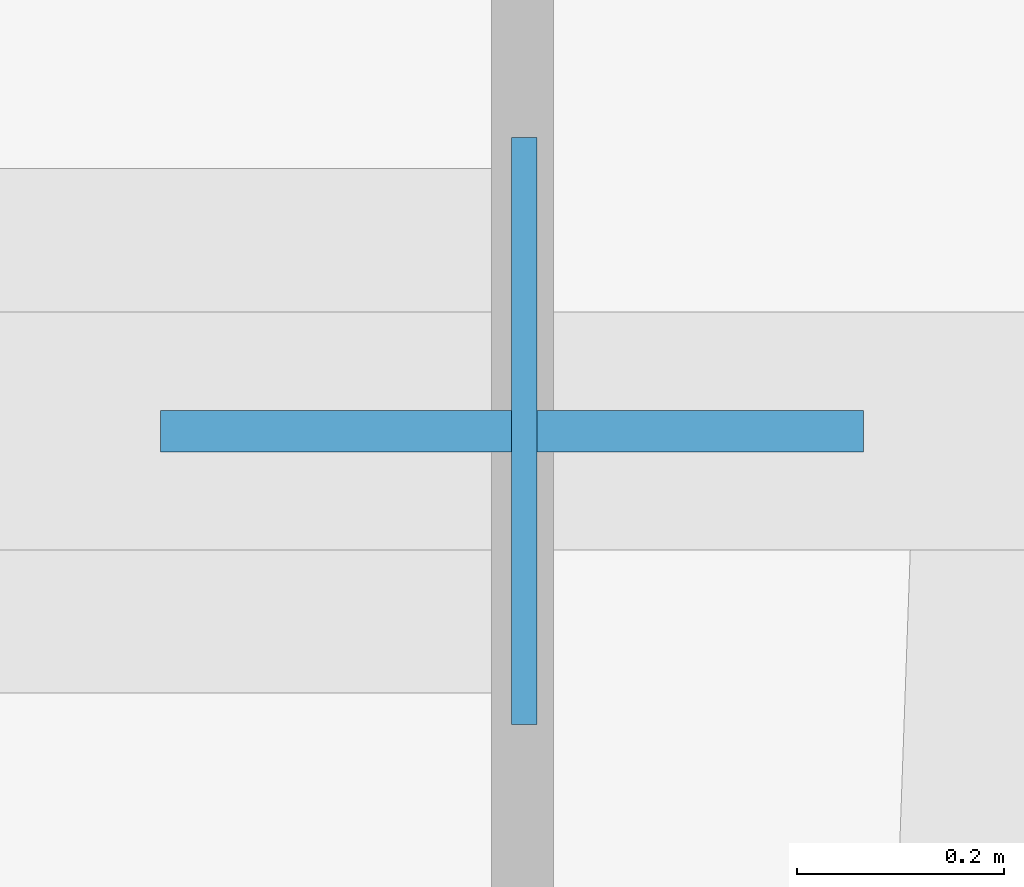
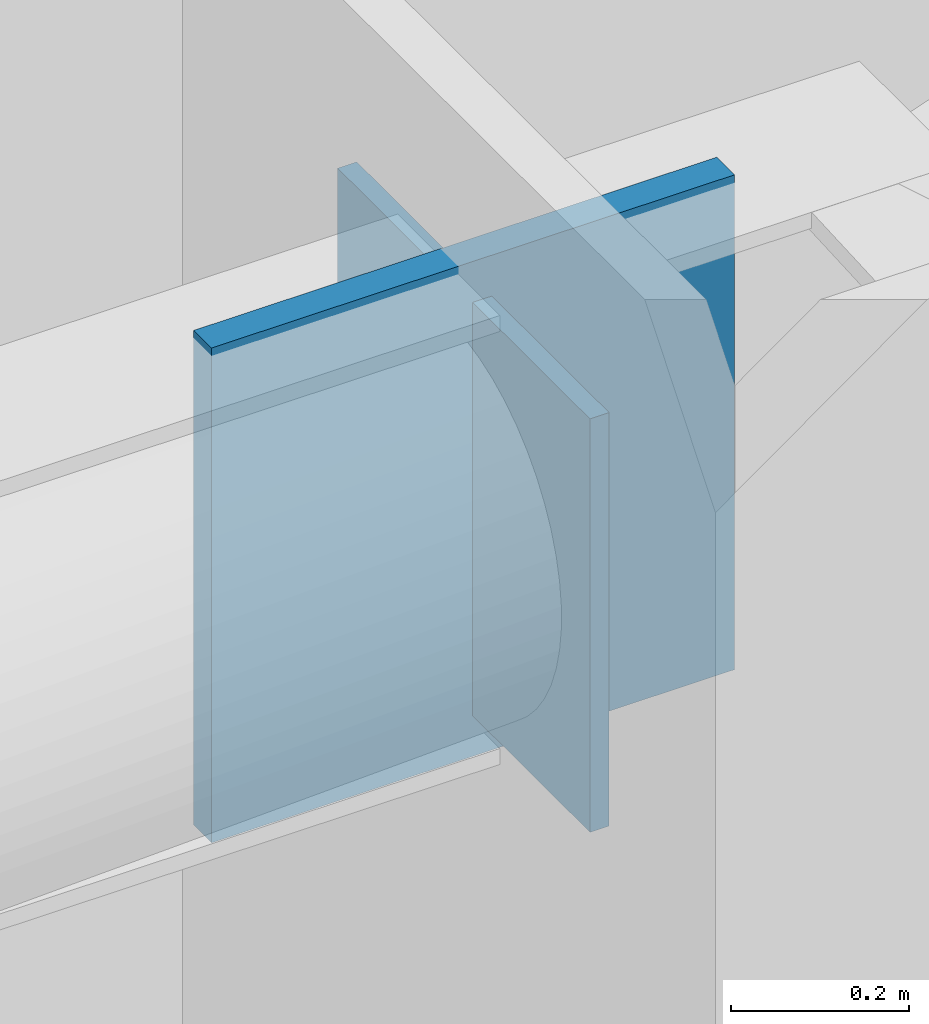
# One storey, part 16 of 25: 2 plates.
"""IFC4 building model written with IfcOpenShell, lengths in metres."""

from ifc_helpers import new_model, si_unit, direction, frame, origin, origin_2d, place, context, subcontext, project, spatial, rectangle, extrude, material, layer, layer_set, type_object, element, save


model = new_model("IFC4")

# Units and contexts
model_context = context("Model", 3, precision=1e-05, world=origin(), true_north=direction((0.0, 1.0)))
body_context = subcontext(model_context, "Body", "Model", "MODEL_VIEW")
ifc_project = project(units=[si_unit("LENGTHUNIT", "METRE"), si_unit("AREAUNIT", "SQUARE_METRE"), si_unit("VOLUMEUNIT", "CUBIC_METRE"), si_unit("PLANEANGLEUNIT", "RADIAN"), si_unit("MASSUNIT", "GRAM", prefix="KILO")], contexts=[model_context])

# Site, building, storey
site_placement = place(None, origin())
site = spatial("IfcSite", under=ifc_project, at=site_placement, CompositionType="ELEMENT")
building_placement = place(site_placement, origin())
building = spatial("IfcBuilding", under=site, at=building_placement, Name="Khamvora Tower", CompositionType="ELEMENT")
storey_placement = place(building_placement, frame((0.0, 0.0, 36.949951171875)))
storey = spatial("IfcBuildingStorey", under=building, at=storey_placement, Name="L08", CompositionType="ELEMENT", Elevation=36.949951171875)

# Plates
ifc_material_1 = material(Name="Steel S355", Category="steel")
ifc_layer_1 = layer(ifc_material_1, 0.02490234375)
ifc_layer_set_1 = layer_set([ifc_layer_1], Name="Steel S355")
plate_type_1 = type_object("IfcPlateType", Name="PL-CAP-25", PredefinedType="SHEET", material=ifc_layer_set_1)
plate_1_placement = place(storey_placement, frame((43.681884765625, 50.800048828125, 2.81591796875), z_axis=(0.0, 0.0, 1.0), x_axis=(1.0, 0.0, 0.0)))
element("IfcPlate", 1, at=plate_1_placement, inside=storey, type_object=plate_type_1, Name="L08 hollow section steel end cap plate 0563", PredefinedType="SHEET", context=body_context, shape_type="SweptSolid", body=[
    extrude(rectangle(XDim=0.02490234375, YDim=0.568115234375, at=origin_2d()), origin(), (0.0, 0.0, 1.0), 0.568115234375),
])
ifc_material_2 = material(Name="Steel S460", Category="steel")
ifc_layer_2 = layer(ifc_material_2, 0.0400390625)
ifc_layer_set_2 = layer_set([ifc_layer_2], Name="Steel S460")
plate_type_2 = type_object("IfcPlateType", Name="PLT-GUS-40", PredefinedType="SHEET", material=ifc_layer_set_2)
plate_2_placement = place(storey_placement, frame((43.669921875, 50.800048828125, 2.76025390625), z_axis=(0.0, 0.0, 1.0), x_axis=(1.0, 0.0, 0.0)))
element("IfcPlate", 2, at=plate_2_placement, inside=storey, type_object=plate_type_2, Name="L08 brace connection node gusset plate 0080", PredefinedType="SHEET", context=body_context, shape_type="SweptSolid", body=[
    extrude(rectangle(XDim=0.679931640625, YDim=0.0400390625, at=origin_2d()), origin(), (0.0, 0.0, 1.0), 0.679931640625),
])

save(model, "model.ifc")
